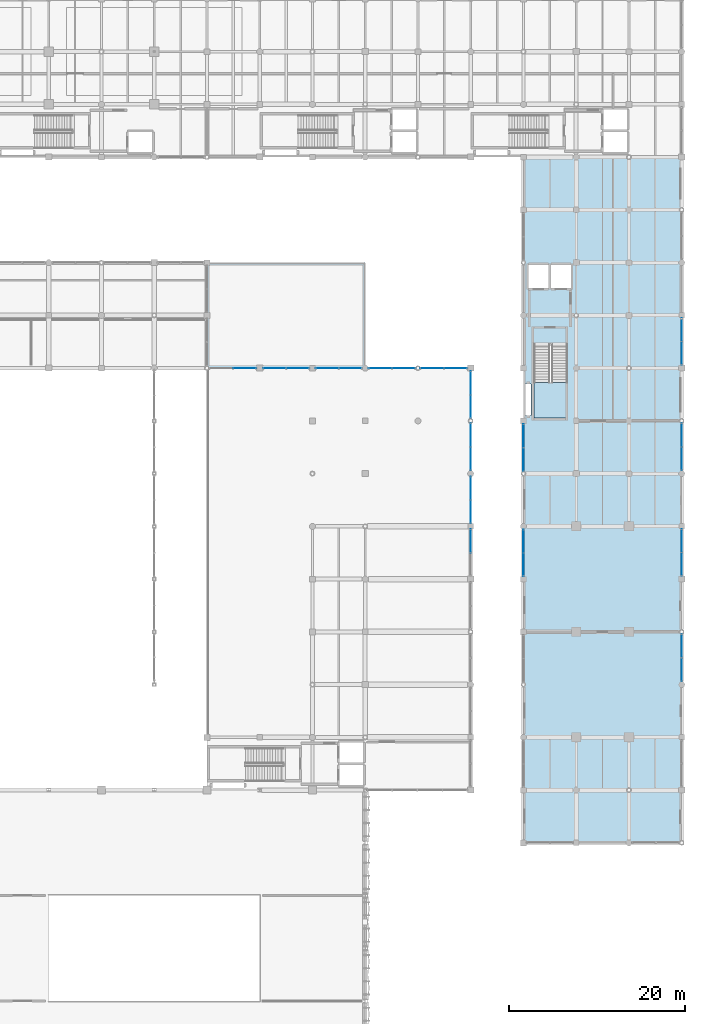
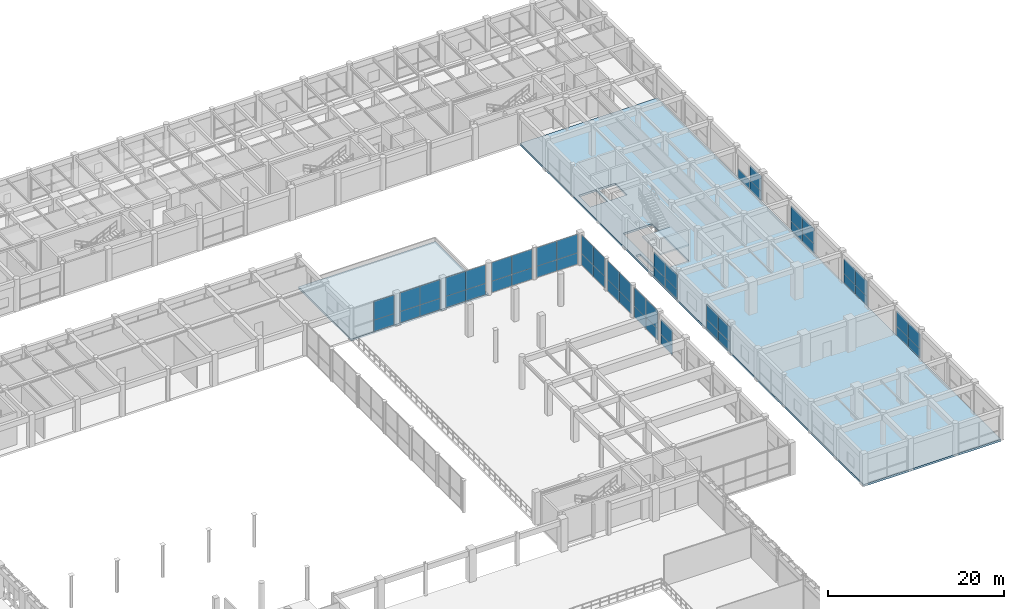
# One storey, part 81 of 116: 55 plates, 3 slabs, 16 elements without a shape of their own.
"""IFC4 building model written with IfcOpenShell, lengths in metres."""

from ifc_helpers import new_model, si_unit, direction, frame, frame_2d, origin, place, context, subcontext, project, spatial, polyline, rectangle, outline, extrude, material, layer, layer_set, type_object, element, aggregate, save


model = new_model("IFC4")

# Units and contexts
model_context = context("Model", 3, precision=1e-05, world=origin(), true_north=direction((0.0, 1.0)))
body_context = subcontext(model_context, "Body", "Model", "MODEL_VIEW")
ifc_project = project(units=[si_unit("LENGTHUNIT", "METRE"), si_unit("AREAUNIT", "SQUARE_METRE"), si_unit("VOLUMEUNIT", "CUBIC_METRE"), si_unit("PLANEANGLEUNIT", "RADIAN"), si_unit("MASSUNIT", "GRAM", prefix="KILO"), si_unit("THERMODYNAMICTEMPERATUREUNIT", "KELVIN"), si_unit("POWERUNIT", "WATT")], contexts=[model_context])

# Site, building, storey
site_placement = place(None, origin())
site = spatial("IfcSite", under=ifc_project, at=site_placement, CompositionType="ELEMENT")
building_placement = place(site_placement, origin())
building = spatial("IfcBuilding", under=site, at=building_placement, Name="Phaisarnlok Congress Hotel", CompositionType="ELEMENT")
storey_placement = place(building_placement, frame((0.0, 0.0, 10.5)))
storey = spatial("IfcBuildingStorey", under=building, at=storey_placement, Name="L02", CompositionType="ELEMENT", Elevation=10.5)

# Curtain wall, plates
ifc_material_1 = material(Name="Thermally Broken Unitised Aluminium & Low-E Glazing", Category="aluminium")
curtain_wall_type_1 = type_object("IfcCurtainWallType", Name="CW-UNIT-16", PredefinedType="NOTDEFINED", material=ifc_material_1)
curtain_wall_1_placement = place(storey_placement, origin())
curtain_wall_1 = element("IfcCurtainWall", 1, at=curtain_wall_1_placement, inside=storey, type_object=curtain_wall_type_1, Name="Unitised curtain wall CW-16 (L02)", PredefinedType="NOTDEFINED")
ifc_material_2 = material(Name="Double Low-E Insulated Glazing", Category="glass")
ifc_layer_1 = layer(ifc_material_2, 0.028076171875, Name="Double Low-E Insulated Glazing")
ifc_layer_set_1 = layer_set([ifc_layer_1], Name="Double Low-E Insulated Glazing")
plate_type = type_object("IfcPlateType", Name="CWP-GLZ-28", PredefinedType="CURTAIN_PANEL", material=ifc_layer_set_1)
plate_1_placement = place(storey_placement, frame((156.0, 63.027587890625, 0.0400390625), z_axis=(0.0, 0.0, 1.0), x_axis=(0.0, 1.0, 0.0)))
plate_1 = element("IfcPlate", 2, at=plate_1_placement, type_object=plate_type, Name="Glazed curtain panel CWP-01", PredefinedType="CURTAIN_PANEL", context=body_context, shape_type="SweptSolid", body=[
    extrude(rectangle(XDim=2.622314453125, YDim=0.028076171875, at=frame_2d((1.31103515625, 0.0))), origin(), (0.0, 0.0, 1.0), 1.2861328125),
])
plate_2_placement = place(storey_placement, frame((156.0, 63.027587890625, 1.326171875), z_axis=(0.0, 0.0, 1.0), x_axis=(0.0, 1.0, 0.0)))
plate_2 = element("IfcPlate", 3, at=plate_2_placement, type_object=plate_type, Name="Glazed curtain panel CWP-01", PredefinedType="CURTAIN_PANEL", context=body_context, shape_type="SweptSolid", body=[
    extrude(rectangle(XDim=2.622314453125, YDim=0.028076171875, at=frame_2d((1.31103515625, 0.0))), origin(), (0.0, 0.0, 1.0), 2.123779296875),
])
aggregate(curtain_wall_1, [plate_1, plate_2])

curtain_wall_type_2 = type_object("IfcCurtainWallType", Name="CW-UNIT-25", PredefinedType="NOTDEFINED", material=ifc_material_1)
curtain_wall_2_placement = place(storey_placement, origin())
curtain_wall_2 = element("IfcCurtainWall", 4, at=curtain_wall_2_placement, inside=storey, type_object=curtain_wall_type_2, Name="Unitised curtain wall CW-25 (L02)", PredefinedType="NOTDEFINED")
plate_3_placement = place(storey_placement, frame((156.0, 66.35009765625, 0.0400390625), z_axis=(0.0, 0.0, 1.0), x_axis=(0.0, 1.0, 0.0)))
plate_3 = element("IfcPlate", 5, at=plate_3_placement, type_object=plate_type, Name="Glazed curtain panel CWP-01", PredefinedType="CURTAIN_PANEL", context=body_context, shape_type="SweptSolid", body=[
    extrude(rectangle(XDim=2.622314453125, YDim=0.028076171875, at=frame_2d((1.31103515625, 0.0))), origin(), (0.0, 0.0, 1.0), 1.571044921875),
])
plate_4_placement = place(storey_placement, frame((156.0, 66.35009765625, 1.611083984375), z_axis=(0.0, 0.0, 1.0), x_axis=(0.0, 1.0, 0.0)))
plate_4 = element("IfcPlate", 6, at=plate_4_placement, type_object=plate_type, Name="Glazed curtain panel CWP-01", PredefinedType="CURTAIN_PANEL", context=body_context, shape_type="SweptSolid", body=[
    extrude(rectangle(XDim=2.622314453125, YDim=0.028076171875, at=frame_2d((1.31103515625, 0.0))), origin(), (0.0, 0.0, 1.0), 2.5888671875),
])
plate_5_placement = place(storey_placement, frame((156.0, 69.00244140625, 0.0400390625), z_axis=(0.0, 0.0, 1.0), x_axis=(0.0, 1.0, 0.0)))
plate_5 = element("IfcPlate", 7, at=plate_5_placement, type_object=plate_type, Name="Glazed curtain panel CWP-01", PredefinedType="CURTAIN_PANEL", context=body_context, shape_type="SweptSolid", body=[
    extrude(rectangle(XDim=2.62255859375, YDim=0.028076171875, at=frame_2d((1.311279296875, 0.0))), origin(), (0.0, 0.0, 1.0), 1.571044921875),
])
plate_6_placement = place(storey_placement, frame((156.0, 69.00244140625, 1.611083984375), z_axis=(0.0, 0.0, 1.0), x_axis=(0.0, 1.0, 0.0)))
plate_6 = element("IfcPlate", 8, at=plate_6_placement, type_object=plate_type, Name="Glazed curtain panel CWP-01", PredefinedType="CURTAIN_PANEL", context=body_context, shape_type="SweptSolid", body=[
    extrude(rectangle(XDim=2.62255859375, YDim=0.028076171875, at=frame_2d((1.311279296875, 0.0))), origin(), (0.0, 0.0, 1.0), 2.5888671875),
])
aggregate(curtain_wall_2, [plate_3, plate_4, plate_5, plate_6])

curtain_wall_type_3 = type_object("IfcCurtainWallType", Name="CW-UNIT-26", PredefinedType="NOTDEFINED", material=ifc_material_1)
curtain_wall_3_placement = place(storey_placement, origin())
curtain_wall_3 = element("IfcCurtainWall", 9, at=curtain_wall_3_placement, inside=storey, type_object=curtain_wall_type_3, Name="Unitised curtain wall CW-26 (L02)", PredefinedType="NOTDEFINED")
plate_7_placement = place(storey_placement, frame((156.0, 72.375, 0.0400390625), z_axis=(0.0, 0.0, 1.0), x_axis=(0.0, 1.0, 0.0)))
plate_7 = element("IfcPlate", 10, at=plate_7_placement, type_object=plate_type, Name="Glazed curtain panel CWP-01", PredefinedType="CURTAIN_PANEL", context=body_context, shape_type="SweptSolid", body=[
    extrude(rectangle(XDim=2.657958984375, YDim=0.028076171875, at=frame_2d((1.3291015625, 0.0))), origin(), (0.0, 0.0, 1.0), 1.571044921875),
])
plate_8_placement = place(storey_placement, frame((156.0, 72.375, 1.611083984375), z_axis=(0.0, 0.0, 1.0), x_axis=(0.0, 1.0, 0.0)))
plate_8 = element("IfcPlate", 11, at=plate_8_placement, type_object=plate_type, Name="Glazed curtain panel CWP-01", PredefinedType="CURTAIN_PANEL", context=body_context, shape_type="SweptSolid", body=[
    extrude(rectangle(XDim=2.657958984375, YDim=0.028076171875, at=frame_2d((1.3291015625, 0.0))), origin(), (0.0, 0.0, 1.0), 2.5888671875),
])
plate_9_placement = place(storey_placement, frame((156.0, 75.06298828125, 0.0400390625), z_axis=(0.0, 0.0, 1.0), x_axis=(0.0, 1.0, 0.0)))
plate_9 = element("IfcPlate", 12, at=plate_9_placement, type_object=plate_type, Name="Glazed curtain panel CWP-01", PredefinedType="CURTAIN_PANEL", context=body_context, shape_type="SweptSolid", body=[
    extrude(rectangle(XDim=2.657958984375, YDim=0.028076171875, at=frame_2d((1.3291015625, 0.0))), origin(), (0.0, 0.0, 1.0), 1.571044921875),
])
plate_10_placement = place(storey_placement, frame((156.0, 75.06298828125, 1.611083984375), z_axis=(0.0, 0.0, 1.0), x_axis=(0.0, 1.0, 0.0)))
plate_10 = element("IfcPlate", 13, at=plate_10_placement, type_object=plate_type, Name="Glazed curtain panel CWP-01", PredefinedType="CURTAIN_PANEL", context=body_context, shape_type="SweptSolid", body=[
    extrude(rectangle(XDim=2.657958984375, YDim=0.028076171875, at=frame_2d((1.3291015625, 0.0))), origin(), (0.0, 0.0, 1.0), 2.5888671875),
])
aggregate(curtain_wall_3, [plate_7, plate_8, plate_9, plate_10])

curtain_wall_4_placement = place(storey_placement, origin())
curtain_wall_4 = element("IfcCurtainWall", 14, at=curtain_wall_4_placement, inside=storey, type_object=curtain_wall_type_3, Name="Unitised curtain wall CW-26 (L02)", PredefinedType="NOTDEFINED")
plate_11_placement = place(storey_placement, frame((156.0, 78.279052734375, 0.0400390625), z_axis=(0.0, 0.0, 1.0), x_axis=(0.0, 1.0, 0.0)))
plate_11 = element("IfcPlate", 15, at=plate_11_placement, type_object=plate_type, Name="Glazed curtain panel CWP-01", PredefinedType="CURTAIN_PANEL", context=body_context, shape_type="SweptSolid", body=[
    extrude(rectangle(XDim=2.657958984375, YDim=0.028076171875, at=frame_2d((1.3291015625, 0.0))), origin(), (0.0, 0.0, 1.0), 1.571044921875),
])
plate_12_placement = place(storey_placement, frame((156.0, 78.279052734375, 1.611083984375), z_axis=(0.0, 0.0, 1.0), x_axis=(0.0, 1.0, 0.0)))
plate_12 = element("IfcPlate", 16, at=plate_12_placement, type_object=plate_type, Name="Glazed curtain panel CWP-01", PredefinedType="CURTAIN_PANEL", context=body_context, shape_type="SweptSolid", body=[
    extrude(rectangle(XDim=2.657958984375, YDim=0.028076171875, at=frame_2d((1.3291015625, 0.0))), origin(), (0.0, 0.0, 1.0), 2.5888671875),
])
plate_13_placement = place(storey_placement, frame((156.0, 80.967041015625, 0.0400390625), z_axis=(0.0, 0.0, 1.0), x_axis=(0.0, 1.0, 0.0)))
plate_13 = element("IfcPlate", 17, at=plate_13_placement, type_object=plate_type, Name="Glazed curtain panel CWP-01", PredefinedType="CURTAIN_PANEL", context=body_context, shape_type="SweptSolid", body=[
    extrude(rectangle(XDim=2.657958984375, YDim=0.028076171875, at=frame_2d((1.3291015625, 0.0))), origin(), (0.0, 0.0, 1.0), 1.571044921875),
])
plate_14_placement = place(storey_placement, frame((156.0, 80.967041015625, 1.611083984375), z_axis=(0.0, 0.0, 1.0), x_axis=(0.0, 1.0, 0.0)))
plate_14 = element("IfcPlate", 18, at=plate_14_placement, type_object=plate_type, Name="Glazed curtain panel CWP-01", PredefinedType="CURTAIN_PANEL", context=body_context, shape_type="SweptSolid", body=[
    extrude(rectangle(XDim=2.657958984375, YDim=0.028076171875, at=frame_2d((1.3291015625, 0.0))), origin(), (0.0, 0.0, 1.0), 2.5888671875),
])
aggregate(curtain_wall_4, [plate_11, plate_12, plate_13, plate_14])

curtain_wall_5_placement = place(storey_placement, origin())
curtain_wall_5 = element("IfcCurtainWall", 19, at=curtain_wall_5_placement, inside=storey, type_object=curtain_wall_type_3, Name="Unitised curtain wall CW-26 (L02)", PredefinedType="NOTDEFINED")
plate_15_placement = place(storey_placement, frame((155.625, 84.0, 0.0400390625), z_axis=(0.0, 0.0, 1.0), x_axis=(-1.0, 0.0, 0.0)))
plate_15 = element("IfcPlate", 20, at=plate_15_placement, type_object=plate_type, Name="Glazed curtain panel CWP-01", PredefinedType="CURTAIN_PANEL", context=body_context, shape_type="SweptSolid", body=[
    extrude(rectangle(XDim=2.657958984375, YDim=0.028076171875, at=frame_2d((1.3291015625, 0.0))), origin(), (0.0, 0.0, 1.0), 1.571044921875),
])
plate_16_placement = place(storey_placement, frame((155.625, 84.0, 1.611083984375), z_axis=(0.0, 0.0, 1.0), x_axis=(-1.0, 0.0, 0.0)))
plate_16 = element("IfcPlate", 21, at=plate_16_placement, type_object=plate_type, Name="Glazed curtain panel CWP-01", PredefinedType="CURTAIN_PANEL", context=body_context, shape_type="SweptSolid", body=[
    extrude(rectangle(XDim=2.657958984375, YDim=0.028076171875, at=frame_2d((1.3291015625, 0.0))), origin(), (0.0, 0.0, 1.0), 2.5888671875),
])
plate_17_placement = place(storey_placement, frame((152.93701171875, 84.0, 0.0400390625), z_axis=(0.0, 0.0, 1.0), x_axis=(-1.0, 0.0, 0.0)))
plate_17 = element("IfcPlate", 22, at=plate_17_placement, type_object=plate_type, Name="Glazed curtain panel CWP-01", PredefinedType="CURTAIN_PANEL", context=body_context, shape_type="SweptSolid", body=[
    extrude(rectangle(XDim=2.657958984375, YDim=0.028076171875, at=frame_2d((1.3291015625, 0.0))), origin(), (0.0, 0.0, 1.0), 1.571044921875),
])
plate_18_placement = place(storey_placement, frame((152.93701171875, 84.0, 1.611083984375), z_axis=(0.0, 0.0, 1.0), x_axis=(-1.0, 0.0, 0.0)))
plate_18 = element("IfcPlate", 23, at=plate_18_placement, type_object=plate_type, Name="Glazed curtain panel CWP-01", PredefinedType="CURTAIN_PANEL", context=body_context, shape_type="SweptSolid", body=[
    extrude(rectangle(XDim=2.657958984375, YDim=0.028076171875, at=frame_2d((1.3291015625, 0.0))), origin(), (0.0, 0.0, 1.0), 2.5888671875),
])
aggregate(curtain_wall_5, [plate_15, plate_16, plate_17, plate_18])

curtain_wall_6_placement = place(storey_placement, origin())
curtain_wall_6 = element("IfcCurtainWall", 24, at=curtain_wall_6_placement, inside=storey, type_object=curtain_wall_type_3, Name="Unitised curtain wall CW-26 (L02)", PredefinedType="NOTDEFINED")
plate_19_placement = place(storey_placement, frame((149.720947265625, 84.0, 0.0400390625), z_axis=(0.0, 0.0, 1.0), x_axis=(-1.0, 0.0, 0.0)))
plate_19 = element("IfcPlate", 25, at=plate_19_placement, type_object=plate_type, Name="Glazed curtain panel CWP-01", PredefinedType="CURTAIN_PANEL", context=body_context, shape_type="SweptSolid", body=[
    extrude(rectangle(XDim=2.657958984375, YDim=0.028076171875, at=frame_2d((1.3291015625, 0.0))), origin(), (0.0, 0.0, 1.0), 1.571044921875),
])
plate_20_placement = place(storey_placement, frame((149.720947265625, 84.0, 1.611083984375), z_axis=(0.0, 0.0, 1.0), x_axis=(-1.0, 0.0, 0.0)))
plate_20 = element("IfcPlate", 26, at=plate_20_placement, type_object=plate_type, Name="Glazed curtain panel CWP-01", PredefinedType="CURTAIN_PANEL", context=body_context, shape_type="SweptSolid", body=[
    extrude(rectangle(XDim=2.657958984375, YDim=0.028076171875, at=frame_2d((1.3291015625, 0.0))), origin(), (0.0, 0.0, 1.0), 2.5888671875),
])
plate_21_placement = place(storey_placement, frame((147.032958984375, 84.0, 0.0400390625), z_axis=(0.0, 0.0, 1.0), x_axis=(-1.0, 0.0, 0.0)))
plate_21 = element("IfcPlate", 27, at=plate_21_placement, type_object=plate_type, Name="Glazed curtain panel CWP-01", PredefinedType="CURTAIN_PANEL", context=body_context, shape_type="SweptSolid", body=[
    extrude(rectangle(XDim=2.657958984375, YDim=0.028076171875, at=frame_2d((1.3291015625, 0.0))), origin(), (0.0, 0.0, 1.0), 1.571044921875),
])
plate_22_placement = place(storey_placement, frame((147.032958984375, 84.0, 1.611083984375), z_axis=(0.0, 0.0, 1.0), x_axis=(-1.0, 0.0, 0.0)))
plate_22 = element("IfcPlate", 28, at=plate_22_placement, type_object=plate_type, Name="Glazed curtain panel CWP-01", PredefinedType="CURTAIN_PANEL", context=body_context, shape_type="SweptSolid", body=[
    extrude(rectangle(XDim=2.657958984375, YDim=0.028076171875, at=frame_2d((1.3291015625, 0.0))), origin(), (0.0, 0.0, 1.0), 2.5888671875),
])
aggregate(curtain_wall_6, [plate_19, plate_20, plate_21, plate_22])

curtain_wall_7_placement = place(storey_placement, origin())
curtain_wall_7 = element("IfcCurtainWall", 29, at=curtain_wall_7_placement, inside=storey, type_object=curtain_wall_type_2, Name="Unitised curtain wall CW-25 (L02)", PredefinedType="NOTDEFINED")
plate_23_placement = place(storey_placement, frame((143.625, 84.0, 0.0400390625), z_axis=(0.0, 0.0, 1.0), x_axis=(-1.0, 0.0, 0.0)))
plate_23 = element("IfcPlate", 30, at=plate_23_placement, type_object=plate_type, Name="Glazed curtain panel CWP-01", PredefinedType="CURTAIN_PANEL", context=body_context, shape_type="SweptSolid", body=[
    extrude(rectangle(XDim=2.62255859375, YDim=0.028076171875, at=frame_2d((1.311279296875, 0.0))), origin(), (0.0, 0.0, 1.0), 1.571044921875),
])
plate_24_placement = place(storey_placement, frame((143.625, 84.0, 1.611083984375), z_axis=(0.0, 0.0, 1.0), x_axis=(-1.0, 0.0, 0.0)))
plate_24 = element("IfcPlate", 31, at=plate_24_placement, type_object=plate_type, Name="Glazed curtain panel CWP-01", PredefinedType="CURTAIN_PANEL", context=body_context, shape_type="SweptSolid", body=[
    extrude(rectangle(XDim=2.62255859375, YDim=0.028076171875, at=frame_2d((1.311279296875, 0.0))), origin(), (0.0, 0.0, 1.0), 2.5888671875),
])
plate_25_placement = place(storey_placement, frame((140.972412109375, 84.0, 0.0400390625), z_axis=(0.0, 0.0, 1.0), x_axis=(-1.0, 0.0, 0.0)))
plate_25 = element("IfcPlate", 32, at=plate_25_placement, type_object=plate_type, Name="Glazed curtain panel CWP-01", PredefinedType="CURTAIN_PANEL", context=body_context, shape_type="SweptSolid", body=[
    extrude(rectangle(XDim=2.622314453125, YDim=0.028076171875, at=frame_2d((1.31103515625, 0.0))), origin(), (0.0, 0.0, 1.0), 1.571044921875),
])
plate_26_placement = place(storey_placement, frame((140.972412109375, 84.0, 1.611083984375), z_axis=(0.0, 0.0, 1.0), x_axis=(-1.0, 0.0, 0.0)))
plate_26 = element("IfcPlate", 33, at=plate_26_placement, type_object=plate_type, Name="Glazed curtain panel CWP-01", PredefinedType="CURTAIN_PANEL", context=body_context, shape_type="SweptSolid", body=[
    extrude(rectangle(XDim=2.622314453125, YDim=0.028076171875, at=frame_2d((1.31103515625, 0.0))), origin(), (0.0, 0.0, 1.0), 2.5888671875),
])
aggregate(curtain_wall_7, [plate_23, plate_24, plate_25, plate_26])

curtain_wall_8_placement = place(storey_placement, origin())
curtain_wall_8 = element("IfcCurtainWall", 34, at=curtain_wall_8_placement, inside=storey, type_object=curtain_wall_type_2, Name="Unitised curtain wall CW-25 (L02)", PredefinedType="NOTDEFINED")
plate_27_placement = place(storey_placement, frame((137.64990234375, 84.0, 0.0400390625), z_axis=(0.0, 0.0, 1.0), x_axis=(-1.0, 0.0, 0.0)))
plate_27 = element("IfcPlate", 35, at=plate_27_placement, type_object=plate_type, Name="Glazed curtain panel CWP-01", PredefinedType="CURTAIN_PANEL", context=body_context, shape_type="SweptSolid", body=[
    extrude(rectangle(XDim=2.622314453125, YDim=0.028076171875, at=frame_2d((1.31103515625, 0.0))), origin(), (0.0, 0.0, 1.0), 1.571044921875),
])
plate_28_placement = place(storey_placement, frame((137.64990234375, 84.0, 1.611083984375), z_axis=(0.0, 0.0, 1.0), x_axis=(-1.0, 0.0, 0.0)))
plate_28 = element("IfcPlate", 36, at=plate_28_placement, type_object=plate_type, Name="Glazed curtain panel CWP-01", PredefinedType="CURTAIN_PANEL", context=body_context, shape_type="SweptSolid", body=[
    extrude(rectangle(XDim=2.622314453125, YDim=0.028076171875, at=frame_2d((1.31103515625, 0.0))), origin(), (0.0, 0.0, 1.0), 2.5888671875),
])
plate_29_placement = place(storey_placement, frame((134.99755859375, 84.0, 0.0400390625), z_axis=(0.0, 0.0, 1.0), x_axis=(-1.0, 0.0, 0.0)))
plate_29 = element("IfcPlate", 37, at=plate_29_placement, type_object=plate_type, Name="Glazed curtain panel CWP-01", PredefinedType="CURTAIN_PANEL", context=body_context, shape_type="SweptSolid", body=[
    extrude(rectangle(XDim=2.62255859375, YDim=0.028076171875, at=frame_2d((1.311279296875, 0.0))), origin(), (0.0, 0.0, 1.0), 1.571044921875),
])
plate_30_placement = place(storey_placement, frame((134.99755859375, 84.0, 1.611083984375), z_axis=(0.0, 0.0, 1.0), x_axis=(-1.0, 0.0, 0.0)))
plate_30 = element("IfcPlate", 38, at=plate_30_placement, type_object=plate_type, Name="Glazed curtain panel CWP-01", PredefinedType="CURTAIN_PANEL", context=body_context, shape_type="SweptSolid", body=[
    extrude(rectangle(XDim=2.62255859375, YDim=0.028076171875, at=frame_2d((1.311279296875, 0.0))), origin(), (0.0, 0.0, 1.0), 2.5888671875),
])
aggregate(curtain_wall_8, [plate_27, plate_28, plate_29, plate_30])

curtain_wall_9_placement = place(storey_placement, origin())
curtain_wall_9 = element("IfcCurtainWall", 39, at=curtain_wall_9_placement, inside=storey, type_object=curtain_wall_type_3, Name="Unitised curtain wall CW-26 (L02)", PredefinedType="NOTDEFINED")
plate_31_placement = place(storey_placement, frame((131.625, 84.0, 0.0400390625), z_axis=(0.0, 0.0, 1.0), x_axis=(-1.0, 0.0, 0.0)))
plate_31 = element("IfcPlate", 40, at=plate_31_placement, type_object=plate_type, Name="Glazed curtain panel CWP-01", PredefinedType="CURTAIN_PANEL", context=body_context, shape_type="SweptSolid", body=[
    extrude(rectangle(XDim=2.657958984375, YDim=0.028076171875, at=frame_2d((1.3291015625, 0.0))), origin(), (0.0, 0.0, 1.0), 1.571044921875),
])
plate_32_placement = place(storey_placement, frame((131.625, 84.0, 1.611083984375), z_axis=(0.0, 0.0, 1.0), x_axis=(-1.0, 0.0, 0.0)))
plate_32 = element("IfcPlate", 41, at=plate_32_placement, type_object=plate_type, Name="Glazed curtain panel CWP-01", PredefinedType="CURTAIN_PANEL", context=body_context, shape_type="SweptSolid", body=[
    extrude(rectangle(XDim=2.657958984375, YDim=0.028076171875, at=frame_2d((1.3291015625, 0.0))), origin(), (0.0, 0.0, 1.0), 2.5888671875),
])
aggregate(curtain_wall_9, [plate_31, plate_32])

curtain_wall_type_4 = type_object("IfcCurtainWallType", Name="CW-UNIT-17", PredefinedType="NOTDEFINED", material=ifc_material_1)
curtain_wall_10_placement = place(storey_placement, origin())
curtain_wall_10 = element("IfcCurtainWall", 42, at=curtain_wall_10_placement, inside=storey, type_object=curtain_wall_type_4, Name="Unitised curtain wall CW-17 (L02)", PredefinedType="NOTDEFINED")
plate_33_placement = place(storey_placement, frame((162.0, 77.625, 0.0400390625), z_axis=(0.0, 0.0, 1.0), x_axis=(0.0, -1.0, 0.0)))
plate_33 = element("IfcPlate", 43, at=plate_33_placement, type_object=plate_type, Name="Glazed curtain panel CWP-01", PredefinedType="CURTAIN_PANEL", context=body_context, shape_type="SweptSolid", body=[
    extrude(rectangle(XDim=2.657958984375, YDim=0.028076171875, at=frame_2d((1.3291015625, 0.0))), origin(), (0.0, 0.0, 1.0), 1.2861328125),
])
plate_34_placement = place(storey_placement, frame((162.0, 77.625, 1.326171875), z_axis=(0.0, 0.0, 1.0), x_axis=(0.0, -1.0, 0.0)))
plate_34 = element("IfcPlate", 44, at=plate_34_placement, type_object=plate_type, Name="Glazed curtain panel CWP-01", PredefinedType="CURTAIN_PANEL", context=body_context, shape_type="SweptSolid", body=[
    extrude(rectangle(XDim=2.657958984375, YDim=0.028076171875, at=frame_2d((1.3291015625, 0.0))), origin(), (0.0, 0.0, 1.0), 2.123779296875),
])
plate_35_placement = place(storey_placement, frame((162.0, 74.93701171875, 0.0400390625), z_axis=(0.0, 0.0, 1.0), x_axis=(0.0, -1.0, 0.0)))
plate_35 = element("IfcPlate", 45, at=plate_35_placement, type_object=plate_type, Name="Glazed curtain panel CWP-01", PredefinedType="CURTAIN_PANEL", context=body_context, shape_type="SweptSolid", body=[
    extrude(rectangle(XDim=2.657958984375, YDim=0.028076171875, at=frame_2d((1.3291015625, 0.0))), origin(), (0.0, 0.0, 1.0), 1.2861328125),
])
plate_36_placement = place(storey_placement, frame((162.0, 74.93701171875, 1.326171875), z_axis=(0.0, 0.0, 1.0), x_axis=(0.0, -1.0, 0.0)))
plate_36 = element("IfcPlate", 46, at=plate_36_placement, type_object=plate_type, Name="Glazed curtain panel CWP-01", PredefinedType="CURTAIN_PANEL", context=body_context, shape_type="SweptSolid", body=[
    extrude(rectangle(XDim=2.657958984375, YDim=0.028076171875, at=frame_2d((1.3291015625, 0.0))), origin(), (0.0, 0.0, 1.0), 2.123779296875),
])
aggregate(curtain_wall_10, [plate_33, plate_34, plate_35, plate_36])

curtain_wall_11_placement = place(storey_placement, origin())
curtain_wall_11 = element("IfcCurtainWall", 47, at=curtain_wall_11_placement, inside=storey, type_object=curtain_wall_type_1, Name="Unitised curtain wall CW-16 (L02)", PredefinedType="NOTDEFINED")
plate_37_placement = place(storey_placement, frame((162.0, 65.625, 0.0400390625), z_axis=(0.0, 0.0, 1.0), x_axis=(0.0, -1.0, 0.0)))
plate_37 = element("IfcPlate", 48, at=plate_37_placement, type_object=plate_type, Name="Glazed curtain panel CWP-01", PredefinedType="CURTAIN_PANEL", context=body_context, shape_type="SweptSolid", body=[
    extrude(rectangle(XDim=2.62255859375, YDim=0.028076171875, at=frame_2d((1.311279296875, 0.0))), origin(), (0.0, 0.0, 1.0), 1.2861328125),
])
plate_38_placement = place(storey_placement, frame((162.0, 65.625, 1.326171875), z_axis=(0.0, 0.0, 1.0), x_axis=(0.0, -1.0, 0.0)))
plate_38 = element("IfcPlate", 49, at=plate_38_placement, type_object=plate_type, Name="Glazed curtain panel CWP-01", PredefinedType="CURTAIN_PANEL", context=body_context, shape_type="SweptSolid", body=[
    extrude(rectangle(XDim=2.62255859375, YDim=0.028076171875, at=frame_2d((1.311279296875, 0.0))), origin(), (0.0, 0.0, 1.0), 2.123779296875),
])
plate_39_placement = place(storey_placement, frame((162.0, 62.972412109375, 0.0400390625), z_axis=(0.0, 0.0, 1.0), x_axis=(0.0, -1.0, 0.0)))
plate_39 = element("IfcPlate", 50, at=plate_39_placement, type_object=plate_type, Name="Glazed curtain panel CWP-01", PredefinedType="CURTAIN_PANEL", context=body_context, shape_type="SweptSolid", body=[
    extrude(rectangle(XDim=2.622314453125, YDim=0.028076171875, at=frame_2d((1.31103515625, 0.0))), origin(), (0.0, 0.0, 1.0), 1.2861328125),
])
plate_40_placement = place(storey_placement, frame((162.0, 62.972412109375, 1.326171875), z_axis=(0.0, 0.0, 1.0), x_axis=(0.0, -1.0, 0.0)))
plate_40 = element("IfcPlate", 51, at=plate_40_placement, type_object=plate_type, Name="Glazed curtain panel CWP-01", PredefinedType="CURTAIN_PANEL", context=body_context, shape_type="SweptSolid", body=[
    extrude(rectangle(XDim=2.622314453125, YDim=0.028076171875, at=frame_2d((1.31103515625, 0.0))), origin(), (0.0, 0.0, 1.0), 2.123779296875),
])
aggregate(curtain_wall_11, [plate_37, plate_38, plate_39, plate_40])

curtain_wall_12_placement = place(storey_placement, origin())
curtain_wall_12 = element("IfcCurtainWall", 52, at=curtain_wall_12_placement, inside=storey, type_object=curtain_wall_type_4, Name="Unitised curtain wall CW-17 (L02)", PredefinedType="NOTDEFINED")
plate_41_placement = place(storey_placement, frame((180.0, 48.375, 0.0400390625), z_axis=(0.0, 0.0, 1.0), x_axis=(0.0, 1.0, 0.0)))
plate_41 = element("IfcPlate", 53, at=plate_41_placement, type_object=plate_type, Name="Glazed curtain panel CWP-01", PredefinedType="CURTAIN_PANEL", context=body_context, shape_type="SweptSolid", body=[
    extrude(rectangle(XDim=2.657958984375, YDim=0.028076171875, at=frame_2d((1.3291015625, 0.0))), origin(), (0.0, 0.0, 1.0), 1.2861328125),
])
plate_42_placement = place(storey_placement, frame((180.0, 48.375, 1.326171875), z_axis=(0.0, 0.0, 1.0), x_axis=(0.0, 1.0, 0.0)))
plate_42 = element("IfcPlate", 54, at=plate_42_placement, type_object=plate_type, Name="Glazed curtain panel CWP-01", PredefinedType="CURTAIN_PANEL", context=body_context, shape_type="SweptSolid", body=[
    extrude(rectangle(XDim=2.657958984375, YDim=0.028076171875, at=frame_2d((1.3291015625, 0.0))), origin(), (0.0, 0.0, 1.0), 2.123779296875),
])
plate_43_placement = place(storey_placement, frame((180.0, 51.06298828125, 0.0400390625), z_axis=(0.0, 0.0, 1.0), x_axis=(0.0, 1.0, 0.0)))
plate_43 = element("IfcPlate", 55, at=plate_43_placement, type_object=plate_type, Name="Glazed curtain panel CWP-01", PredefinedType="CURTAIN_PANEL", context=body_context, shape_type="SweptSolid", body=[
    extrude(rectangle(XDim=2.657958984375, YDim=0.028076171875, at=frame_2d((1.3291015625, 0.0))), origin(), (0.0, 0.0, 1.0), 1.2861328125),
])
plate_44_placement = place(storey_placement, frame((180.0, 51.06298828125, 1.326171875), z_axis=(0.0, 0.0, 1.0), x_axis=(0.0, 1.0, 0.0)))
plate_44 = element("IfcPlate", 56, at=plate_44_placement, type_object=plate_type, Name="Glazed curtain panel CWP-01", PredefinedType="CURTAIN_PANEL", context=body_context, shape_type="SweptSolid", body=[
    extrude(rectangle(XDim=2.657958984375, YDim=0.028076171875, at=frame_2d((1.3291015625, 0.0))), origin(), (0.0, 0.0, 1.0), 2.123779296875),
])
aggregate(curtain_wall_12, [plate_41, plate_42, plate_43, plate_44])

curtain_wall_13_placement = place(storey_placement, origin())
curtain_wall_13 = element("IfcCurtainWall", 57, at=curtain_wall_13_placement, inside=storey, type_object=curtain_wall_type_1, Name="Unitised curtain wall CW-16 (L02)", PredefinedType="NOTDEFINED")
plate_45_placement = place(storey_placement, frame((180.0, 60.375, 0.0400390625), z_axis=(0.0, 0.0, 1.0), x_axis=(0.0, 1.0, 0.0)))
plate_45 = element("IfcPlate", 58, at=plate_45_placement, type_object=plate_type, Name="Glazed curtain panel CWP-01", PredefinedType="CURTAIN_PANEL", context=body_context, shape_type="SweptSolid", body=[
    extrude(rectangle(XDim=2.62255859375, YDim=0.028076171875, at=frame_2d((1.311279296875, 0.0))), origin(), (0.0, 0.0, 1.0), 1.2861328125),
])
plate_46_placement = place(storey_placement, frame((180.0, 60.375, 1.326171875), z_axis=(0.0, 0.0, 1.0), x_axis=(0.0, 1.0, 0.0)))
plate_46 = element("IfcPlate", 59, at=plate_46_placement, type_object=plate_type, Name="Glazed curtain panel CWP-01", PredefinedType="CURTAIN_PANEL", context=body_context, shape_type="SweptSolid", body=[
    extrude(rectangle(XDim=2.62255859375, YDim=0.028076171875, at=frame_2d((1.311279296875, 0.0))), origin(), (0.0, 0.0, 1.0), 2.123779296875),
])
plate_47_placement = place(storey_placement, frame((180.0, 63.027587890625, 0.0400390625), z_axis=(0.0, 0.0, 1.0), x_axis=(0.0, 1.0, 0.0)))
plate_47 = element("IfcPlate", 60, at=plate_47_placement, type_object=plate_type, Name="Glazed curtain panel CWP-01", PredefinedType="CURTAIN_PANEL", context=body_context, shape_type="SweptSolid", body=[
    extrude(rectangle(XDim=2.622314453125, YDim=0.028076171875, at=frame_2d((1.31103515625, 0.0))), origin(), (0.0, 0.0, 1.0), 1.2861328125),
])
plate_48_placement = place(storey_placement, frame((180.0, 63.027587890625, 1.326171875), z_axis=(0.0, 0.0, 1.0), x_axis=(0.0, 1.0, 0.0)))
plate_48 = element("IfcPlate", 61, at=plate_48_placement, type_object=plate_type, Name="Glazed curtain panel CWP-01", PredefinedType="CURTAIN_PANEL", context=body_context, shape_type="SweptSolid", body=[
    extrude(rectangle(XDim=2.622314453125, YDim=0.028076171875, at=frame_2d((1.31103515625, 0.0))), origin(), (0.0, 0.0, 1.0), 2.123779296875),
])
aggregate(curtain_wall_13, [plate_45, plate_46, plate_47, plate_48])

curtain_wall_14_placement = place(storey_placement, origin())
curtain_wall_14 = element("IfcCurtainWall", 62, at=curtain_wall_14_placement, inside=storey, type_object=curtain_wall_type_4, Name="Unitised curtain wall CW-17 (L02)", PredefinedType="NOTDEFINED")
plate_49_placement = place(storey_placement, frame((180.0, 72.375, 0.0400390625), z_axis=(0.0, 0.0, 1.0), x_axis=(0.0, 1.0, 0.0)))
plate_49 = element("IfcPlate", 63, at=plate_49_placement, type_object=plate_type, Name="Glazed curtain panel CWP-01", PredefinedType="CURTAIN_PANEL", context=body_context, shape_type="SweptSolid", body=[
    extrude(rectangle(XDim=2.657958984375, YDim=0.028076171875, at=frame_2d((1.3291015625, 0.0))), origin(), (0.0, 0.0, 1.0), 1.2861328125),
])
plate_50_placement = place(storey_placement, frame((180.0, 72.375, 1.326171875), z_axis=(0.0, 0.0, 1.0), x_axis=(0.0, 1.0, 0.0)))
plate_50 = element("IfcPlate", 64, at=plate_50_placement, type_object=plate_type, Name="Glazed curtain panel CWP-01", PredefinedType="CURTAIN_PANEL", context=body_context, shape_type="SweptSolid", body=[
    extrude(rectangle(XDim=2.657958984375, YDim=0.028076171875, at=frame_2d((1.3291015625, 0.0))), origin(), (0.0, 0.0, 1.0), 2.123779296875),
])
plate_51_placement = place(storey_placement, frame((180.0, 75.06298828125, 0.0400390625), z_axis=(0.0, 0.0, 1.0), x_axis=(0.0, 1.0, 0.0)))
plate_51 = element("IfcPlate", 65, at=plate_51_placement, type_object=plate_type, Name="Glazed curtain panel CWP-01", PredefinedType="CURTAIN_PANEL", context=body_context, shape_type="SweptSolid", body=[
    extrude(rectangle(XDim=2.657958984375, YDim=0.028076171875, at=frame_2d((1.3291015625, 0.0))), origin(), (0.0, 0.0, 1.0), 1.2861328125),
])
plate_52_placement = place(storey_placement, frame((180.0, 75.06298828125, 1.326171875), z_axis=(0.0, 0.0, 1.0), x_axis=(0.0, 1.0, 0.0)))
plate_52 = element("IfcPlate", 66, at=plate_52_placement, type_object=plate_type, Name="Glazed curtain panel CWP-01", PredefinedType="CURTAIN_PANEL", context=body_context, shape_type="SweptSolid", body=[
    extrude(rectangle(XDim=2.657958984375, YDim=0.028076171875, at=frame_2d((1.3291015625, 0.0))), origin(), (0.0, 0.0, 1.0), 2.123779296875),
])
aggregate(curtain_wall_14, [plate_49, plate_50, plate_51, plate_52])

curtain_wall_15_placement = place(storey_placement, origin())
curtain_wall_15 = element("IfcCurtainWall", 67, at=curtain_wall_15_placement, inside=storey, type_object=curtain_wall_type_1, Name="Unitised curtain wall CW-16 (L02)", PredefinedType="NOTDEFINED")
plate_53_placement = place(storey_placement, frame((180.0, 84.375, 0.0400390625), z_axis=(0.0, 0.0, 1.0), x_axis=(0.0, 1.0, 0.0)))
plate_53 = element("IfcPlate", 68, at=plate_53_placement, type_object=plate_type, Name="Glazed curtain panel CWP-01", PredefinedType="CURTAIN_PANEL", context=body_context, shape_type="SweptSolid", body=[
    extrude(rectangle(XDim=2.62255859375, YDim=0.028076171875, at=frame_2d((1.311279296875, 0.0))), origin(), (0.0, 0.0, 1.0), 1.2861328125),
])
plate_54_placement = place(storey_placement, frame((180.0, 84.375, 1.326171875), z_axis=(0.0, 0.0, 1.0), x_axis=(0.0, 1.0, 0.0)))
plate_54 = element("IfcPlate", 69, at=plate_54_placement, type_object=plate_type, Name="Glazed curtain panel CWP-01", PredefinedType="CURTAIN_PANEL", context=body_context, shape_type="SweptSolid", body=[
    extrude(rectangle(XDim=2.62255859375, YDim=0.028076171875, at=frame_2d((1.311279296875, 0.0))), origin(), (0.0, 0.0, 1.0), 2.123779296875),
])
plate_55_placement = place(storey_placement, frame((180.0, 87.027587890625, 0.0400390625), z_axis=(0.0, 0.0, 1.0), x_axis=(0.0, 1.0, 0.0)))
plate_55 = element("IfcPlate", 70, at=plate_55_placement, type_object=plate_type, Name="Glazed curtain panel CWP-01", PredefinedType="CURTAIN_PANEL", context=body_context, shape_type="SweptSolid", body=[
    extrude(rectangle(XDim=2.622314453125, YDim=0.028076171875, at=frame_2d((1.31103515625, 0.0))), origin(), (0.0, 0.0, 1.0), 1.2861328125),
])
aggregate(curtain_wall_15, [plate_53, plate_54, plate_55])

# Slab
ifc_material_3 = material(Name="Concrete C40/50", Category="concrete")
ifc_layer_2 = layer(ifc_material_3, 0.280029296875, Name="Concrete C40/50")
ifc_layer_set_2 = layer_set([ifc_layer_2], Name="Concrete C40/50")
slab_type_1 = type_object("IfcSlabType", Name="SLB-INT-280", PredefinedType="FLOOR", material=ifc_layer_set_2)
slab_1_placement = place(storey_placement, frame((0.0, 0.0, -0.280029296875)))
element("IfcSlab", 71, at=slab_1_placement, inside=storey, type_object=slab_type_1, Name="Floor slab SL-INT-280 (L02 v5_e)", PredefinedType="FLOOR", context=body_context, shape_type="SweptSolid", body=[
    extrude(outline(polyline([(180.0, 30.0), (180.0, 108.0), (162.0, 108.0), (162.0, 30.0), (180.0, 30.0)]), holes=[polyline([(163.199951171875, 86.719970703125), (163.199951171875, 78.300048828125), (167.0, 78.300048828125), (167.0, 86.719970703125), (163.199951171875, 86.719970703125)]), polyline([(164.85009765625, 93.10009765625), (164.85009765625, 95.75), (162.60009765625, 95.75), (162.60009765625, 93.10009765625), (164.85009765625, 93.10009765625)]), polyline([(167.39990234375, 93.10009765625), (167.39990234375, 95.75), (165.14990234375, 95.75), (165.14990234375, 93.10009765625), (167.39990234375, 93.10009765625)]), polyline([(162.85009765625, 78.60009765625), (162.85009765625, 82.199951171875), (162.25, 82.199951171875), (162.25, 78.60009765625), (162.85009765625, 78.60009765625)])]), origin(), (0.0, 0.0, 1.0), 0.280029296875),
])

# Stair, slab
stair_type = type_object("IfcStairType", Name="STR-DOG-03", PredefinedType="HALF_TURN_STAIR", material=ifc_material_3)
stair_placement = place(storey_placement, origin())
stair = element("IfcStair", 72, at=stair_placement, inside=storey, type_object=stair_type, Name="L02 ST-09", PredefinedType="HALF_TURN_STAIR")
ifc_layer_3 = layer(ifc_material_3, 0.199951171875, Name="Concrete C40/50")
ifc_layer_set_3 = layer_set([ifc_layer_3], Name="Concrete C40/50")
slab_type_2 = type_object("IfcSlabType", Name="SLB-LND-200", PredefinedType="LANDING", material=ifc_layer_set_3)
slab_2_placement = place(storey_placement, frame((0.0, 0.0, 2.050048828125)))
slab_2 = element("IfcSlab", 73, at=slab_2_placement, type_object=slab_type_2, Name="ST-09 landing 1", PredefinedType="LANDING", context=body_context, shape_type="SweptSolid", body=[
    extrude(outline(polyline([(163.199951171875, 82.3798828125), (163.199951171875, 78.300048828125), (167.0, 78.300048828125), (167.0, 82.3798828125), (163.199951171875, 82.3798828125)])), origin(), (0.0, 0.0, 1.0), 0.199951171875),
])
aggregate(stair, [slab_2])

# Slab
ifc_layer_4 = layer(ifc_material_3, 0.239990234375, Name="Concrete C40/50")
ifc_layer_set_4 = layer_set([ifc_layer_4], Name="Concrete C40/50")
slab_type_3 = type_object("IfcSlabType", Name="SLB-ROOF-240", PredefinedType="ROOF", material=ifc_layer_set_4)
slab_3_placement = place(storey_placement, frame((0.0, 0.0, -0.239990234375)))
element("IfcSlab", 74, at=slab_3_placement, inside=storey, type_object=slab_type_3, Name="Podium setback roof slab SL-ROOF-240 (L02 pod_press_ne)", PredefinedType="ROOF", context=body_context, shape_type="SweptSolid", body=[
    extrude(outline(polyline([(126.0, 84.0), (144.0, 84.0), (144.0, 96.0), (126.0, 96.0), (126.0, 84.0)])), origin(), (0.0, 0.0, 1.0), 0.239990234375),
])

save(model, "model.ifc")
